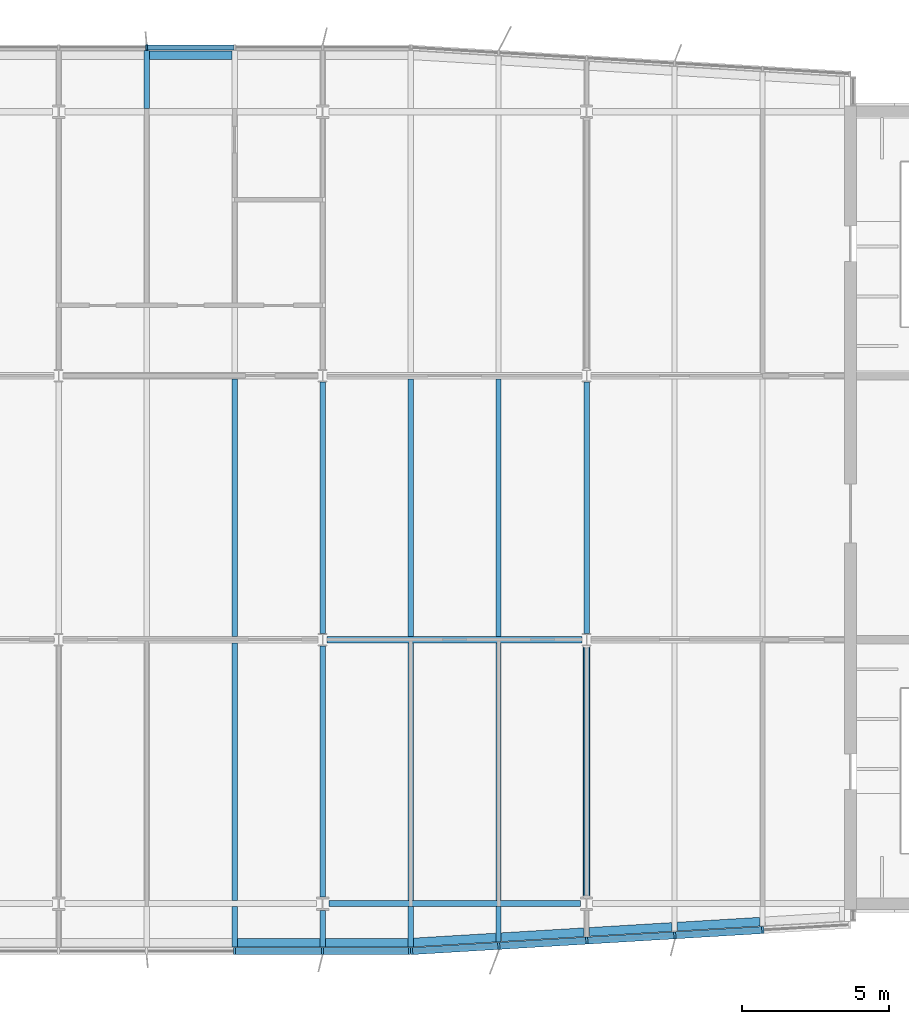
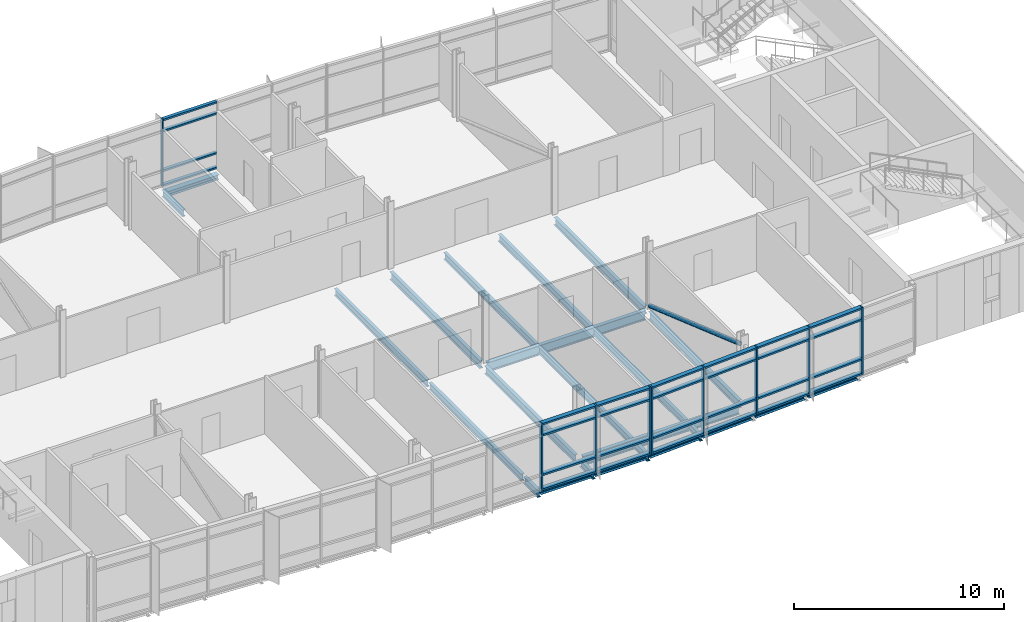
# One storey, part 5 of 21: 38 members, 24 beams, 3 elements without a shape of their own.
"""IFC4 building model written with IfcOpenShell, lengths in metres."""

from ifc_helpers import new_model, si_unit, direction, frame, origin, origin_2d, place, context, subcontext, project, spatial, rectangle, hollow_circle, i_section, extrude, material, material_profile, profile_set, type_object, element, aggregate, save


model = new_model("IFC4")

# Units and contexts
model_context = context("Model", 3, precision=1e-05, world=origin(), true_north=direction((0.0, 1.0)))
body_context = subcontext(model_context, "Body", "Model", "MODEL_VIEW")
ifc_project = project(units=[si_unit("LENGTHUNIT", "METRE"), si_unit("AREAUNIT", "SQUARE_METRE"), si_unit("VOLUMEUNIT", "CUBIC_METRE"), si_unit("PLANEANGLEUNIT", "RADIAN"), si_unit("MASSUNIT", "GRAM", prefix="KILO")], contexts=[model_context])

# Site, building, storey
site_placement = place(None, origin())
site = spatial("IfcSite", under=ifc_project, at=site_placement, CompositionType="ELEMENT")
building_placement = place(site_placement, origin())
building = spatial("IfcBuilding", under=site, at=building_placement, Name="Azimuth Sports and Learning Centre", CompositionType="ELEMENT")
storey_placement = place(building_placement, frame((0.0, 0.0, 48.0)))
storey = spatial("IfcBuildingStorey", under=building, at=storey_placement, Name="L10", CompositionType="ELEMENT", Elevation=48.0)

# Beams
ifc_material_1 = material(Name="Steel S355", Category="steel")
ifc_material_profile_1 = material_profile(ifc_material_1, i_section(OverallWidth=0.18994140625, OverallDepth=0.449951171875, WebThickness=0.009521484375, FlangeThickness=0.0146484375, FilletRadius=0.02099609375, at=origin_2d()), Name="IPE 450")
ifc_profile_set_1 = profile_set([ifc_material_profile_1], Name="Steel S355")
beam_type_1 = type_object("IfcBeamType", Name="Beam IPE 450", PredefinedType="BEAM", material=ifc_profile_set_1)
beam_1_placement = place(storey_placement, frame((90.0, 90.2275390625, -0.35498046875), z_axis=(0.0, 1.0, 0.0), x_axis=(-1.0, 0.0, 0.0)))
element("IfcBeam", 1, at=beam_1_placement, inside=storey, type_object=beam_type_1, Name="Tower tie", PredefinedType="BEAM", context=body_context, shape_type="SweptSolid", body=[
    extrude(i_section(OverallWidth=0.18994140625, OverallDepth=0.449951171875, WebThickness=0.009521484375, FlangeThickness=0.0146484375, FilletRadius=0.02099609375, at=origin_2d()), origin(), (0.0, 0.0, 1.0), 8.556396484375),
])
beam_2_placement = place(storey_placement, frame((90.0, 99.216064453125, -0.35498046875), z_axis=(0.0, 1.0, 0.0), x_axis=(-1.0, 0.0, 0.0)))
element("IfcBeam", 2, at=beam_2_placement, inside=storey, type_object=beam_type_1, Name="Tower tie", PredefinedType="BEAM", context=body_context, shape_type="SweptSolid", body=[
    extrude(i_section(OverallWidth=0.18994140625, OverallDepth=0.449951171875, WebThickness=0.009521484375, FlangeThickness=0.0146484375, FilletRadius=0.02099609375, at=origin_2d()), origin(), (0.0, 0.0, 1.0), 8.56787109375),
])
beam_3_placement = place(storey_placement, frame((99.0, 90.2275390625, -0.35498046875), z_axis=(0.0, 1.0, 0.0), x_axis=(-1.0, 0.0, 0.0)))
element("IfcBeam", 3, at=beam_3_placement, inside=storey, type_object=beam_type_1, Name="Tower tie", PredefinedType="BEAM", context=body_context, shape_type="SweptSolid", body=[
    extrude(i_section(OverallWidth=0.18994140625, OverallDepth=0.449951171875, WebThickness=0.009521484375, FlangeThickness=0.0146484375, FilletRadius=0.02099609375, at=origin_2d()), origin(), (0.0, 0.0, 1.0), 8.556396484375),
])
beam_4_placement = place(storey_placement, frame((99.0, 99.216064453125, -0.35498046875), z_axis=(0.0, 1.0, 0.0), x_axis=(-1.0, 0.0, 0.0)))
element("IfcBeam", 4, at=beam_4_placement, inside=storey, type_object=beam_type_1, Name="Tower tie", PredefinedType="BEAM", context=body_context, shape_type="SweptSolid", body=[
    extrude(i_section(OverallWidth=0.18994140625, OverallDepth=0.449951171875, WebThickness=0.009521484375, FlangeThickness=0.0146484375, FilletRadius=0.02099609375, at=origin_2d()), origin(), (0.0, 0.0, 1.0), 8.56787109375),
])
ifc_material_2 = material(Name="Steel S355", Category="steel")
ifc_material_profile_2 = material_profile(ifc_material_2, i_section(OverallWidth=0.2099609375, OverallDepth=0.550048828125, WebThickness=0.010986328125, FlangeThickness=0.01708984375, FilletRadius=0.02392578125, at=origin_2d()), Name="IPE 550")
ifc_profile_set_2 = profile_set([ifc_material_profile_2], Name="Steel S355")
beam_type_2 = type_object("IfcBeamType", Name="Beam IPE 550", PredefinedType="BEAM", material=ifc_profile_set_2)
beam_5_placement = place(storey_placement, frame((90.208984375, 90.0, -0.405029296875), z_axis=(1.0, 0.0, 0.0), x_axis=(0.0, 1.0, 0.0)))
element("IfcBeam", 5, at=beam_5_placement, inside=storey, type_object=beam_type_2, Name="Tower girder L10", PredefinedType="BEAM", context=body_context, shape_type="SweptSolid", body=[
    extrude(i_section(OverallWidth=0.2099609375, OverallDepth=0.550048828125, WebThickness=0.010986328125, FlangeThickness=0.01708984375, FilletRadius=0.02392578125, at=origin_2d()), origin(), (0.0, 0.0, 1.0), 8.58203125),
])
beam_6_placement = place(storey_placement, frame((90.153564453125, 99.0, -0.405029296875), z_axis=(1.0, 0.0, 0.0), x_axis=(0.0, 1.0, 0.0)))
element("IfcBeam", 6, at=beam_6_placement, inside=storey, type_object=beam_type_2, Name="Tower girder L10", PredefinedType="BEAM", context=body_context, shape_type="SweptSolid", body=[
    extrude(i_section(OverallWidth=0.2099609375, OverallDepth=0.550048828125, WebThickness=0.010986328125, FlangeThickness=0.01708984375, FilletRadius=0.02392578125, at=origin_2d()), origin(), (0.0, 0.0, 1.0), 8.69287109375),
])

# Member
ifc_material_3 = material(Name="Steel S355", Category="steel")
ifc_material_profile_3 = material_profile(ifc_material_3, hollow_circle(Radius=0.122314453125, WallThickness=0.012451171875, at=origin_2d()), Name="CHS 244.5x12.5")
ifc_profile_set_3 = profile_set([ifc_material_profile_3], Name="Steel S355")
member_type_1 = type_object("IfcMemberType", Name="Brace CHS 244.5x12.5", PredefinedType="BRACE", material=ifc_profile_set_3)
member_1_placement = place(storey_placement, frame((99.0, 90.247802734375, 3.150634765625), z_axis=(0.0, 0.94383599609, -0.330414304299), x_axis=(-1.0, 0.0, 0.0)))
element("IfcMember", 7, at=member_1_placement, inside=storey, type_object=member_type_1, Name="Tower brace 12 L10", PredefinedType="BRACE", context=body_context, shape_type="SweptSolid", body=[
    extrude(hollow_circle(Radius=0.122314453125, WallThickness=0.012451171875, at=origin_2d()), origin(), (0.0, 0.0, 1.0), 9.022705078125),
])

# Beams
ifc_material_4 = material(Name="Steel S355", Category="steel")
ifc_material_profile_4 = material_profile(ifc_material_4, i_section(OverallWidth=0.179931640625, OverallDepth=0.39990234375, WebThickness=0.008544921875, FlangeThickness=0.013427734375, FilletRadius=0.02099609375, at=origin_2d()), Name="IPE 400")
ifc_profile_set_4 = profile_set([ifc_material_profile_4], Name="Steel S355")
beam_type_3 = type_object("IfcBeamType", Name="Cantilever stub IPE 400", PredefinedType="JOIST", material=ifc_profile_set_4)
beam_7_placement = place(storey_placement, frame((87.0, 89.89501953125, -0.330078125), z_axis=(0.0, -1.0, 0.0), x_axis=(1.0, 0.0, 0.0)))
element("IfcBeam", 8, at=beam_7_placement, inside=storey, type_object=beam_type_3, Name="Tower cantilever stub", PredefinedType="JOIST", context=body_context, shape_type="SweptSolid", body=[
    extrude(i_section(OverallWidth=0.179931640625, OverallDepth=0.39990234375, WebThickness=0.008544921875, FlangeThickness=0.013427734375, FilletRadius=0.02099609375, at=origin_2d()), origin(), (0.0, 0.0, 1.0), 1.375),
])
beam_8_placement = place(storey_placement, frame((90.0, 89.7724609375, -0.330078125), z_axis=(0.0, -1.0, 0.0), x_axis=(1.0, 0.0, 0.0)))
element("IfcBeam", 9, at=beam_8_placement, inside=storey, type_object=beam_type_3, Name="Tower cantilever stub", PredefinedType="JOIST", context=body_context, shape_type="SweptSolid", body=[
    extrude(i_section(OverallWidth=0.179931640625, OverallDepth=0.39990234375, WebThickness=0.008544921875, FlangeThickness=0.013427734375, FilletRadius=0.02099609375, at=origin_2d()), origin(), (0.0, 0.0, 1.0), 1.25244140625),
])
beam_9_placement = place(storey_placement, frame((93.0, 89.89501953125, -0.330078125), z_axis=(0.0, -1.0, 0.0), x_axis=(1.0, 0.0, 0.0)))
element("IfcBeam", 10, at=beam_9_placement, inside=storey, type_object=beam_type_3, Name="Tower cantilever stub", PredefinedType="JOIST", context=body_context, shape_type="SweptSolid", body=[
    extrude(i_section(OverallWidth=0.179931640625, OverallDepth=0.39990234375, WebThickness=0.008544921875, FlangeThickness=0.013427734375, FilletRadius=0.02099609375, at=origin_2d()), origin(), (0.0, 0.0, 1.0), 1.375),
])
beam_10_placement = place(storey_placement, frame((96.0, 89.89501953125, -0.330078125), z_axis=(0.0, -1.0, 0.0), x_axis=(1.0, 0.0, 0.0)))
element("IfcBeam", 11, at=beam_10_placement, inside=storey, type_object=beam_type_3, Name="Tower cantilever stub", PredefinedType="JOIST", context=body_context, shape_type="SweptSolid", body=[
    extrude(i_section(OverallWidth=0.179931640625, OverallDepth=0.39990234375, WebThickness=0.008544921875, FlangeThickness=0.013427734375, FilletRadius=0.02099609375, at=origin_2d()), origin(), (0.0, 0.0, 1.0), 1.195068359375),
])
beam_11_placement = place(storey_placement, frame((84.0, 117.10498046875, -0.330078125), z_axis=(0.0, 1.0, 0.0), x_axis=(-1.0, 0.0, 0.0)))
element("IfcBeam", 12, at=beam_11_placement, inside=storey, type_object=beam_type_3, Name="Tower cantilever stub", PredefinedType="JOIST", context=body_context, shape_type="SweptSolid", body=[
    extrude(i_section(OverallWidth=0.179931640625, OverallDepth=0.39990234375, WebThickness=0.008544921875, FlangeThickness=0.013427734375, FilletRadius=0.02099609375, at=origin_2d()), origin(), (0.0, 0.0, 1.0), 1.97509765625),
])
ifc_material_5 = material(Name="Steel S355", Category="steel")
ifc_material_profile_5 = material_profile(ifc_material_5, i_section(OverallWidth=0.300048828125, OverallDepth=0.2900390625, WebThickness=0.008544921875, FlangeThickness=0.013916015625, FilletRadius=0.027099609375, at=origin_2d()), Name="HEA 300")
ifc_profile_set_5 = profile_set([ifc_material_profile_5], Name="Steel S355")
beam_type_4 = type_object("IfcBeamType", Name="Edge beam HEA 300", PredefinedType="SPANDREL", material=ifc_profile_set_5)
for number, where, z_axis, x_axis, name in (
    (13, (87.090087890625, 88.669921875, -0.27490234375), (1.0, 0.0, 0.0), (0.0, 1.0, 0.0), "Tower edge beam"),
    (14, (90.090087890625, 88.669921875, -0.27490234375), (1.0, 0.0, 0.0), (0.0, 1.0, 0.0), "Tower edge beam"),
):
    element("IfcBeam", number, at=place(storey_placement, frame(where, z_axis=z_axis, x_axis=x_axis)), inside=storey, type_object=beam_type_4, Name=name, PredefinedType="SPANDREL", context=body_context, shape_type="SweptSolid", body=[
        extrude(i_section(OverallWidth=0.300048828125, OverallDepth=0.2900390625, WebThickness=0.008544921875, FlangeThickness=0.013916015625, FilletRadius=0.027099609375, at=origin_2d()), origin(), (0.0, 0.0, 1.0), 2.81982421875),
    ])
for number, where, z_axis, x_axis, name in (
    (15, (93.090087890625, 88.67529296875, -0.27490234375), (0.998204845466, 0.059892290728, 0.0), (-0.059892290728, 0.998204845466, 0.0), "Tower edge beam"),
    (16, (96.090087890625, 88.85546875, -0.27490234375), (0.998204845466, 0.059892290728, 0.0), (-0.059892290728, 0.998204845466, 0.0), "Tower edge beam"),
    (17, (99.090087890625, 89.035400390625, -0.27490234375), (0.998204845466, 0.059892290728, 0.0), (-0.059892290728, 0.998204845466, 0.0), "Tower edge beam"),
    (18, (102.090087890625, 89.21533203125, -0.27490234375), (0.998204845466, 0.059892290728, 0.0), (-0.059892290728, 0.998204845466, 0.0), "Tower edge beam"),
):
    element("IfcBeam", number, at=place(storey_placement, frame(where, z_axis=z_axis, x_axis=x_axis)), inside=storey, type_object=beam_type_4, Name=name, PredefinedType="SPANDREL", context=body_context, shape_type="SweptSolid", body=[
        extrude(i_section(OverallWidth=0.300048828125, OverallDepth=0.2900390625, WebThickness=0.008544921875, FlangeThickness=0.013916015625, FilletRadius=0.027099609375, at=origin_2d()), origin(), (0.0, 0.0, 1.0), 2.824951171875),
    ])
beam_12_placement = place(storey_placement, frame((84.090087890625, 118.929931640625, -0.27490234375), z_axis=(1.0, 0.0, 0.0), x_axis=(0.0, 1.0, 0.0)))
element("IfcBeam", 19, at=beam_12_placement, inside=storey, type_object=beam_type_4, Name="Tower edge beam", PredefinedType="SPANDREL", context=body_context, shape_type="SweptSolid", body=[
    extrude(i_section(OverallWidth=0.300048828125, OverallDepth=0.2900390625, WebThickness=0.008544921875, FlangeThickness=0.013916015625, FilletRadius=0.027099609375, at=origin_2d()), origin(), (0.0, 0.0, 1.0), 2.81982421875),
])
ifc_material_6 = material(Name="Steel S355", Category="steel")
ifc_material_profile_6 = material_profile(ifc_material_6, i_section(OverallWidth=0.179931640625, OverallDepth=0.39990234375, WebThickness=0.008544921875, FlangeThickness=0.013427734375, FilletRadius=0.02099609375, at=origin_2d()), Name="IPE 400")
ifc_profile_set_6 = profile_set([ifc_material_profile_6], Name="Steel S355")
beam_type_5 = type_object("IfcBeamType", Name="Joist IPE 400", PredefinedType="JOIST", material=ifc_profile_set_6)
for number, where, z_axis, x_axis, name in (
    (20, (87.0, 90.10498046875, -0.330078125), (0.0, 1.0, 0.0), (-1.0, 0.0, 0.0), "Tower joist"),
    (21, (87.0, 99.10498046875, -0.330078125), (0.0, 1.0, 0.0), (-1.0, 0.0, 0.0), "Tower joist"),
    (22, (93.0, 90.10498046875, -0.330078125), (0.0, 1.0, 0.0), (-1.0, 0.0, 0.0), "Tower joist"),
    (23, (93.0, 99.10498046875, -0.330078125), (0.0, 1.0, 0.0), (-1.0, 0.0, 0.0), "Tower joist"),
    (24, (96.0, 90.10498046875, -0.330078125), (0.0, 1.0, 0.0), (-1.0, 0.0, 0.0), "Tower joist"),
    (25, (96.0, 99.10498046875, -0.330078125), (0.0, 1.0, 0.0), (-1.0, 0.0, 0.0), "Tower joist"),
):
    element("IfcBeam", number, at=place(storey_placement, frame(where, z_axis=z_axis, x_axis=x_axis)), inside=storey, type_object=beam_type_5, Name=name, PredefinedType="JOIST", context=body_context, shape_type="SweptSolid", body=[
        extrude(i_section(OverallWidth=0.179931640625, OverallDepth=0.39990234375, WebThickness=0.008544921875, FlangeThickness=0.013427734375, FilletRadius=0.02099609375, at=origin_2d()), origin(), (0.0, 0.0, 1.0), 8.7900390625),
    ])

# Curtain wall, member
ifc_material_7 = material(Name="Aluminium and glass", Category="aluminium")
curtain_wall_type_1 = type_object("IfcCurtainWallType", Name="Curtain wall tower north 180", PredefinedType="NOTDEFINED", material=ifc_material_7)
curtain_wall_1_placement = place(storey_placement, origin())
curtain_wall_1 = element("IfcCurtainWall", 26, at=curtain_wall_1_placement, inside=storey, type_object=curtain_wall_type_1, Name="Curtain wall CW10-008", PredefinedType="NOTDEFINED")
ifc_material_8 = material(Name="Aluminium", Category="aluminium")
ifc_material_profile_7 = material_profile(ifc_material_8, rectangle(XDim=0.179931640625, YDim=0.06005859375, at=origin_2d()), Name="Mullion 60x180")
ifc_profile_set_7 = profile_set([ifc_material_profile_7], Name="Aluminium")
member_type_2 = type_object("IfcMemberType", Name="Mullion 60x180", PredefinedType="MULLION", material=ifc_profile_set_7)
member_2_placement = place(storey_placement, frame((84.0, 119.18994140625, 0.0), z_axis=(0.0, 0.0, 1.0), x_axis=(0.0, -1.0, 0.0)))
member_2 = element("IfcMember", 27, at=member_2_placement, type_object=member_type_2, Name="CW10-008 mullion 4", PredefinedType="MULLION", context=body_context, shape_type="SweptSolid", body=[
    extrude(rectangle(XDim=0.179931640625, YDim=0.06005859375, at=origin_2d()), origin(), (0.0, 0.0, 1.0), 3.89990234375),
])

# Curtain wall, members
ifc_material_9 = material(Name="Aluminium and glass", Category="aluminium")
curtain_wall_type_2 = type_object("IfcCurtainWallType", Name="Curtain wall tower south 240", PredefinedType="NOTDEFINED", material=ifc_material_9)
curtain_wall_2_placement = place(storey_placement, origin())
curtain_wall_2 = element("IfcCurtainWall", 28, at=curtain_wall_2_placement, inside=storey, type_object=curtain_wall_type_2, Name="Curtain wall CW10-003", PredefinedType="NOTDEFINED")
ifc_material_10 = material(Name="Aluminium", Category="aluminium")
ifc_material_profile_8 = material_profile(ifc_material_10, rectangle(XDim=0.239990234375, YDim=0.070068359375, at=origin_2d()), Name="Mullion 70x240")
ifc_profile_set_8 = profile_set([ifc_material_profile_8], Name="Aluminium")
member_type_3 = type_object("IfcMemberType", Name="Mullion 70x240", PredefinedType="MULLION", material=ifc_profile_set_8)
member_3_placement = place(storey_placement, frame((87.0, 88.3798828125, 0.0), z_axis=(0.0, 0.0, 1.0), x_axis=(0.0, 1.0, 0.0)))
member_3 = element("IfcMember", 29, at=member_3_placement, type_object=member_type_3, Name="CW10-003 mullion 4", PredefinedType="MULLION", context=body_context, shape_type="SweptSolid", body=[
    extrude(rectangle(XDim=0.239990234375, YDim=0.070068359375, at=origin_2d()), origin(), (0.0, 0.0, 1.0), 3.89990234375),
])
member_4_placement = place(storey_placement, frame((90.0, 88.3798828125, 0.0), z_axis=(0.0, 0.0, 1.0), x_axis=(0.0, 1.0, 0.0)))
member_4 = element("IfcMember", 30, at=member_4_placement, type_object=member_type_3, Name="CW10-003 mullion 5", PredefinedType="MULLION", context=body_context, shape_type="SweptSolid", body=[
    extrude(rectangle(XDim=0.239990234375, YDim=0.070068359375, at=origin_2d()), origin(), (0.0, 0.0, 1.0), 3.89990234375),
])
member_5_placement = place(storey_placement, frame((92.965087890625, 88.3798828125, 0.0), z_axis=(0.0, 0.0, 1.0), x_axis=(0.0, 1.0, 0.0)))
member_5 = element("IfcMember", 31, at=member_5_placement, type_object=member_type_3, Name="CW10-003 mullion 6", PredefinedType="MULLION", context=body_context, shape_type="SweptSolid", body=[
    extrude(rectangle(XDim=0.239990234375, YDim=0.070068359375, at=origin_2d()), origin(), (0.0, 0.0, 1.0), 3.89990234375),
])

curtain_wall_3_placement = place(storey_placement, origin())
curtain_wall_3 = element("IfcCurtainWall", 32, at=curtain_wall_3_placement, inside=storey, type_object=curtain_wall_type_2, Name="Curtain wall CW10-004", PredefinedType="NOTDEFINED")
member_6_placement = place(storey_placement, frame((93.034912109375, 88.3818359375, 0.0), z_axis=(0.0, 0.0, 1.0), x_axis=(-0.059891991812, 0.998204863401, 0.0)))
member_6 = element("IfcMember", 33, at=member_6_placement, type_object=member_type_3, Name="CW10-004 mullion 1", PredefinedType="MULLION", context=body_context, shape_type="SweptSolid", body=[
    extrude(rectangle(XDim=0.239990234375, YDim=0.070068359375, at=origin_2d()), origin(), (0.0, 0.0, 1.0), 3.89990234375),
])
member_7_placement = place(storey_placement, frame((96.007080078125, 88.560302734375, 0.0), z_axis=(0.0, 0.0, 1.0), x_axis=(-0.059891991812, 0.998204863401, 0.0)))
member_7 = element("IfcMember", 34, at=member_7_placement, type_object=member_type_3, Name="CW10-004 mullion 2", PredefinedType="MULLION", context=body_context, shape_type="SweptSolid", body=[
    extrude(rectangle(XDim=0.239990234375, YDim=0.070068359375, at=origin_2d()), origin(), (0.0, 0.0, 1.0), 3.89990234375),
])
member_8_placement = place(storey_placement, frame((99.007080078125, 88.740234375, 0.0), z_axis=(0.0, 0.0, 1.0), x_axis=(-0.059891991812, 0.998204863401, 0.0)))
member_8 = element("IfcMember", 35, at=member_8_placement, type_object=member_type_3, Name="CW10-004 mullion 3", PredefinedType="MULLION", context=body_context, shape_type="SweptSolid", body=[
    extrude(rectangle(XDim=0.239990234375, YDim=0.070068359375, at=origin_2d()), origin(), (0.0, 0.0, 1.0), 3.89990234375),
])
member_9_placement = place(storey_placement, frame((102.007080078125, 88.920166015625, 0.0), z_axis=(0.0, 0.0, 1.0), x_axis=(-0.059891991812, 0.998204863401, 0.0)))
member_9 = element("IfcMember", 36, at=member_9_placement, type_object=member_type_3, Name="CW10-004 mullion 4", PredefinedType="MULLION", context=body_context, shape_type="SweptSolid", body=[
    extrude(rectangle(XDim=0.239990234375, YDim=0.070068359375, at=origin_2d()), origin(), (0.0, 0.0, 1.0), 3.89990234375),
])
member_10_placement = place(storey_placement, frame((105.007080078125, 89.10009765625, 0.0), z_axis=(0.0, 0.0, 1.0), x_axis=(-0.059891991812, 0.998204863401, 0.0)))
member_10 = element("IfcMember", 37, at=member_10_placement, type_object=member_type_3, Name="CW10-004 mullion 5", PredefinedType="MULLION", context=body_context, shape_type="SweptSolid", body=[
    extrude(rectangle(XDim=0.239990234375, YDim=0.070068359375, at=origin_2d()), origin(), (0.0, 0.0, 1.0), 3.89990234375),
])

# Member
ifc_material_11 = material(Name="Aluminium", Category="aluminium")
ifc_material_profile_9 = material_profile(ifc_material_11, rectangle(XDim=0.179931640625, YDim=0.10009765625, at=origin_2d()), Name="Transom 100x180")
ifc_profile_set_9 = profile_set([ifc_material_profile_9], Name="Aluminium")
member_type_4 = type_object("IfcMemberType", Name="Transom 100x180", PredefinedType="USERDEFINED", material=ifc_profile_set_9)
member_11_placement = place(storey_placement, frame((86.969970703125, 119.18994140625, 0.050048828125), z_axis=(-1.0, 0.0, 0.0), x_axis=(0.0, -1.0, 0.0)))
member_11 = element("IfcMember", 38, at=member_11_placement, type_object=member_type_4, Name="CW10-008 transom 3.1", ObjectType="TRANSOM", PredefinedType="USERDEFINED", context=body_context, shape_type="SweptSolid", body=[
    extrude(rectangle(XDim=0.179931640625, YDim=0.10009765625, at=origin_2d()), origin(), (0.0, 0.0, 1.0), 2.93994140625),
])

member_12_placement = place(storey_placement, frame((86.969970703125, 119.18994140625, 0.89990234375), z_axis=(-1.0, 0.0, 0.0), x_axis=(0.0, -1.0, 0.0)))
member_12 = element("IfcMember", 39, at=member_12_placement, type_object=member_type_4, Name="CW10-008 transom 3.2", ObjectType="TRANSOM", PredefinedType="USERDEFINED", context=body_context, shape_type="SweptSolid", body=[
    extrude(rectangle(XDim=0.179931640625, YDim=0.10009765625, at=origin_2d()), origin(), (0.0, 0.0, 1.0), 2.93994140625),
])

member_13_placement = place(storey_placement, frame((86.969970703125, 119.18994140625, 3.199951171875), z_axis=(-1.0, 0.0, 0.0), x_axis=(0.0, -1.0, 0.0)))
member_13 = element("IfcMember", 40, at=member_13_placement, type_object=member_type_4, Name="CW10-008 transom 3.3", ObjectType="TRANSOM", PredefinedType="USERDEFINED", context=body_context, shape_type="SweptSolid", body=[
    extrude(rectangle(XDim=0.179931640625, YDim=0.10009765625, at=origin_2d()), origin(), (0.0, 0.0, 1.0), 2.93994140625),
])

member_14_placement = place(storey_placement, frame((86.969970703125, 119.18994140625, 3.85009765625), z_axis=(-1.0, 0.0, 0.0), x_axis=(0.0, -1.0, 0.0)))
member_14 = element("IfcMember", 41, at=member_14_placement, type_object=member_type_4, Name="CW10-008 transom 3.4", ObjectType="TRANSOM", PredefinedType="USERDEFINED", context=body_context, shape_type="SweptSolid", body=[
    extrude(rectangle(XDim=0.179931640625, YDim=0.10009765625, at=origin_2d()), origin(), (0.0, 0.0, 1.0), 2.93994140625),
])

aggregate(curtain_wall_1, [member_2, member_11, member_12, member_13, member_14])

ifc_material_12 = material(Name="Aluminium", Category="aluminium")
ifc_material_profile_10 = material_profile(ifc_material_12, rectangle(XDim=0.239990234375, YDim=0.10009765625, at=origin_2d()), Name="Transom 100x240")
ifc_profile_set_10 = profile_set([ifc_material_profile_10], Name="Aluminium")
member_type_5 = type_object("IfcMemberType", Name="Transom 100x240", PredefinedType="USERDEFINED", material=ifc_profile_set_10)
member_15_placement = place(storey_placement, frame((87.034912109375, 88.3798828125, 0.050048828125), z_axis=(1.0, 0.0, 0.0), x_axis=(0.0, 1.0, 0.0)))
member_15 = element("IfcMember", 42, at=member_15_placement, type_object=member_type_5, Name="CW10-003 transom 4.1", ObjectType="TRANSOM", PredefinedType="USERDEFINED", context=body_context, shape_type="SweptSolid", body=[
    extrude(rectangle(XDim=0.239990234375, YDim=0.10009765625, at=origin_2d()), origin(), (0.0, 0.0, 1.0), 2.93017578125),
])

member_16_placement = place(storey_placement, frame((87.034912109375, 88.3798828125, 0.89990234375), z_axis=(1.0, 0.0, 0.0), x_axis=(0.0, 1.0, 0.0)))
member_16 = element("IfcMember", 43, at=member_16_placement, type_object=member_type_5, Name="CW10-003 transom 4.2", ObjectType="TRANSOM", PredefinedType="USERDEFINED", context=body_context, shape_type="SweptSolid", body=[
    extrude(rectangle(XDim=0.239990234375, YDim=0.10009765625, at=origin_2d()), origin(), (0.0, 0.0, 1.0), 2.93017578125),
])

member_17_placement = place(storey_placement, frame((87.034912109375, 88.3798828125, 3.199951171875), z_axis=(1.0, 0.0, 0.0), x_axis=(0.0, 1.0, 0.0)))
member_17 = element("IfcMember", 44, at=member_17_placement, type_object=member_type_5, Name="CW10-003 transom 4.3", ObjectType="TRANSOM", PredefinedType="USERDEFINED", context=body_context, shape_type="SweptSolid", body=[
    extrude(rectangle(XDim=0.239990234375, YDim=0.10009765625, at=origin_2d()), origin(), (0.0, 0.0, 1.0), 2.93017578125),
])

member_18_placement = place(storey_placement, frame((87.034912109375, 88.3798828125, 3.85009765625), z_axis=(1.0, 0.0, 0.0), x_axis=(0.0, 1.0, 0.0)))
member_18 = element("IfcMember", 45, at=member_18_placement, type_object=member_type_5, Name="CW10-003 transom 4.4", ObjectType="TRANSOM", PredefinedType="USERDEFINED", context=body_context, shape_type="SweptSolid", body=[
    extrude(rectangle(XDim=0.239990234375, YDim=0.10009765625, at=origin_2d()), origin(), (0.0, 0.0, 1.0), 2.93017578125),
])

member_19_placement = place(storey_placement, frame((90.034912109375, 88.3798828125, 0.050048828125), z_axis=(1.0, 0.0, 0.0), x_axis=(0.0, 1.0, 0.0)))
member_19 = element("IfcMember", 46, at=member_19_placement, type_object=member_type_5, Name="CW10-003 transom 5.1", ObjectType="TRANSOM", PredefinedType="USERDEFINED", context=body_context, shape_type="SweptSolid", body=[
    extrude(rectangle(XDim=0.239990234375, YDim=0.10009765625, at=origin_2d()), origin(), (0.0, 0.0, 1.0), 2.89501953125),
])

member_20_placement = place(storey_placement, frame((90.034912109375, 88.3798828125, 0.89990234375), z_axis=(1.0, 0.0, 0.0), x_axis=(0.0, 1.0, 0.0)))
member_20 = element("IfcMember", 47, at=member_20_placement, type_object=member_type_5, Name="CW10-003 transom 5.2", ObjectType="TRANSOM", PredefinedType="USERDEFINED", context=body_context, shape_type="SweptSolid", body=[
    extrude(rectangle(XDim=0.239990234375, YDim=0.10009765625, at=origin_2d()), origin(), (0.0, 0.0, 1.0), 2.89501953125),
])

member_21_placement = place(storey_placement, frame((90.034912109375, 88.3798828125, 3.199951171875), z_axis=(1.0, 0.0, 0.0), x_axis=(0.0, 1.0, 0.0)))
member_21 = element("IfcMember", 48, at=member_21_placement, type_object=member_type_5, Name="CW10-003 transom 5.3", ObjectType="TRANSOM", PredefinedType="USERDEFINED", context=body_context, shape_type="SweptSolid", body=[
    extrude(rectangle(XDim=0.239990234375, YDim=0.10009765625, at=origin_2d()), origin(), (0.0, 0.0, 1.0), 2.89501953125),
])

member_22_placement = place(storey_placement, frame((90.034912109375, 88.3798828125, 3.85009765625), z_axis=(1.0, 0.0, 0.0), x_axis=(0.0, 1.0, 0.0)))
member_22 = element("IfcMember", 49, at=member_22_placement, type_object=member_type_5, Name="CW10-003 transom 5.4", ObjectType="TRANSOM", PredefinedType="USERDEFINED", context=body_context, shape_type="SweptSolid", body=[
    extrude(rectangle(XDim=0.239990234375, YDim=0.10009765625, at=origin_2d()), origin(), (0.0, 0.0, 1.0), 2.89501953125),
])

aggregate(curtain_wall_2, [member_3, member_4, member_5, member_15, member_16, member_17, member_18, member_19, member_20, member_21, member_22])

member_23_placement = place(storey_placement, frame((93.06982421875, 88.384033203125, 0.050048828125), z_axis=(0.998206250786, 0.059868864133, 0.0), x_axis=(-0.059868864133, 0.998206250786, 0.0)))
member_23 = element("IfcMember", 50, at=member_23_placement, type_object=member_type_5, Name="CW10-004 transom 1.1", ObjectType="TRANSOM", PredefinedType="USERDEFINED", context=body_context, shape_type="SweptSolid", body=[
    extrude(rectangle(XDim=0.239990234375, YDim=0.10009765625, at=origin_2d()), origin(), (0.0, 0.0, 1.0), 2.907470703125),
])

member_24_placement = place(storey_placement, frame((93.06982421875, 88.384033203125, 0.89990234375), z_axis=(0.998206250786, 0.059868864133, 0.0), x_axis=(-0.059868864133, 0.998206250786, 0.0)))
member_24 = element("IfcMember", 51, at=member_24_placement, type_object=member_type_5, Name="CW10-004 transom 1.2", ObjectType="TRANSOM", PredefinedType="USERDEFINED", context=body_context, shape_type="SweptSolid", body=[
    extrude(rectangle(XDim=0.239990234375, YDim=0.10009765625, at=origin_2d()), origin(), (0.0, 0.0, 1.0), 2.907470703125),
])

member_25_placement = place(storey_placement, frame((93.06982421875, 88.384033203125, 3.199951171875), z_axis=(0.998206250786, 0.059868864133, 0.0), x_axis=(-0.059868864133, 0.998206250786, 0.0)))
member_25 = element("IfcMember", 52, at=member_25_placement, type_object=member_type_5, Name="CW10-004 transom 1.3", ObjectType="TRANSOM", PredefinedType="USERDEFINED", context=body_context, shape_type="SweptSolid", body=[
    extrude(rectangle(XDim=0.239990234375, YDim=0.10009765625, at=origin_2d()), origin(), (0.0, 0.0, 1.0), 2.907470703125),
])

member_26_placement = place(storey_placement, frame((93.06982421875, 88.384033203125, 3.85009765625), z_axis=(0.998206250786, 0.059868864133, 0.0), x_axis=(-0.059868864133, 0.998206250786, 0.0)))
member_26 = element("IfcMember", 53, at=member_26_placement, type_object=member_type_5, Name="CW10-004 transom 1.4", ObjectType="TRANSOM", PredefinedType="USERDEFINED", context=body_context, shape_type="SweptSolid", body=[
    extrude(rectangle(XDim=0.239990234375, YDim=0.10009765625, at=origin_2d()), origin(), (0.0, 0.0, 1.0), 2.907470703125),
])

member_27_placement = place(storey_placement, frame((96.042236328125, 88.562255859375, 0.050048828125), z_axis=(0.998205143816, 0.059887318019, 0.0), x_axis=(-0.059887318019, 0.998205143816, 0.0)))
member_27 = element("IfcMember", 54, at=member_27_placement, type_object=member_type_5, Name="CW10-004 transom 2.1", ObjectType="TRANSOM", PredefinedType="USERDEFINED", context=body_context, shape_type="SweptSolid", body=[
    extrude(rectangle(XDim=0.239990234375, YDim=0.10009765625, at=origin_2d()), origin(), (0.0, 0.0, 1.0), 2.935302734375),
])

member_28_placement = place(storey_placement, frame((96.042236328125, 88.562255859375, 0.89990234375), z_axis=(0.998205143816, 0.059887318019, 0.0), x_axis=(-0.059887318019, 0.998205143816, 0.0)))
member_28 = element("IfcMember", 55, at=member_28_placement, type_object=member_type_5, Name="CW10-004 transom 2.2", ObjectType="TRANSOM", PredefinedType="USERDEFINED", context=body_context, shape_type="SweptSolid", body=[
    extrude(rectangle(XDim=0.239990234375, YDim=0.10009765625, at=origin_2d()), origin(), (0.0, 0.0, 1.0), 2.935302734375),
])

member_29_placement = place(storey_placement, frame((96.042236328125, 88.562255859375, 3.199951171875), z_axis=(0.998205143816, 0.059887318019, 0.0), x_axis=(-0.059887318019, 0.998205143816, 0.0)))
member_29 = element("IfcMember", 56, at=member_29_placement, type_object=member_type_5, Name="CW10-004 transom 2.3", ObjectType="TRANSOM", PredefinedType="USERDEFINED", context=body_context, shape_type="SweptSolid", body=[
    extrude(rectangle(XDim=0.239990234375, YDim=0.10009765625, at=origin_2d()), origin(), (0.0, 0.0, 1.0), 2.935302734375),
])

member_30_placement = place(storey_placement, frame((96.042236328125, 88.562255859375, 3.85009765625), z_axis=(0.998205143816, 0.059887318019, 0.0), x_axis=(-0.059887318019, 0.998205143816, 0.0)))
member_30 = element("IfcMember", 57, at=member_30_placement, type_object=member_type_5, Name="CW10-004 transom 2.4", ObjectType="TRANSOM", PredefinedType="USERDEFINED", context=body_context, shape_type="SweptSolid", body=[
    extrude(rectangle(XDim=0.239990234375, YDim=0.10009765625, at=origin_2d()), origin(), (0.0, 0.0, 1.0), 2.935302734375),
])

member_31_placement = place(storey_placement, frame((99.042236328125, 88.742431640625, 0.050048828125), z_axis=(0.998205143816, 0.059887318019, 0.0), x_axis=(-0.059887318019, 0.998205143816, 0.0)))
member_31 = element("IfcMember", 58, at=member_31_placement, type_object=member_type_5, Name="CW10-004 transom 3.1", ObjectType="TRANSOM", PredefinedType="USERDEFINED", context=body_context, shape_type="SweptSolid", body=[
    extrude(rectangle(XDim=0.239990234375, YDim=0.10009765625, at=origin_2d()), origin(), (0.0, 0.0, 1.0), 2.935302734375),
])

member_32_placement = place(storey_placement, frame((99.042236328125, 88.742431640625, 0.89990234375), z_axis=(0.998205143816, 0.059887318019, 0.0), x_axis=(-0.059887318019, 0.998205143816, 0.0)))
member_32 = element("IfcMember", 59, at=member_32_placement, type_object=member_type_5, Name="CW10-004 transom 3.2", ObjectType="TRANSOM", PredefinedType="USERDEFINED", context=body_context, shape_type="SweptSolid", body=[
    extrude(rectangle(XDim=0.239990234375, YDim=0.10009765625, at=origin_2d()), origin(), (0.0, 0.0, 1.0), 2.935302734375),
])

member_33_placement = place(storey_placement, frame((99.042236328125, 88.742431640625, 3.199951171875), z_axis=(0.998205143816, 0.059887318019, 0.0), x_axis=(-0.059887318019, 0.998205143816, 0.0)))
member_33 = element("IfcMember", 60, at=member_33_placement, type_object=member_type_5, Name="CW10-004 transom 3.3", ObjectType="TRANSOM", PredefinedType="USERDEFINED", context=body_context, shape_type="SweptSolid", body=[
    extrude(rectangle(XDim=0.239990234375, YDim=0.10009765625, at=origin_2d()), origin(), (0.0, 0.0, 1.0), 2.935302734375),
])

member_34_placement = place(storey_placement, frame((99.042236328125, 88.742431640625, 3.85009765625), z_axis=(0.998205143816, 0.059887318019, 0.0), x_axis=(-0.059887318019, 0.998205143816, 0.0)))
member_34 = element("IfcMember", 61, at=member_34_placement, type_object=member_type_5, Name="CW10-004 transom 3.4", ObjectType="TRANSOM", PredefinedType="USERDEFINED", context=body_context, shape_type="SweptSolid", body=[
    extrude(rectangle(XDim=0.239990234375, YDim=0.10009765625, at=origin_2d()), origin(), (0.0, 0.0, 1.0), 2.935302734375),
])

member_35_placement = place(storey_placement, frame((102.042236328125, 88.92236328125, 0.050048828125), z_axis=(0.998205143816, 0.059887318019, 0.0), x_axis=(-0.059887318019, 0.998205143816, 0.0)))
member_35 = element("IfcMember", 62, at=member_35_placement, type_object=member_type_5, Name="CW10-004 transom 4.1", ObjectType="TRANSOM", PredefinedType="USERDEFINED", context=body_context, shape_type="SweptSolid", body=[
    extrude(rectangle(XDim=0.239990234375, YDim=0.10009765625, at=origin_2d()), origin(), (0.0, 0.0, 1.0), 2.935302734375),
])

member_36_placement = place(storey_placement, frame((102.042236328125, 88.92236328125, 0.89990234375), z_axis=(0.998205143816, 0.059887318019, 0.0), x_axis=(-0.059887318019, 0.998205143816, 0.0)))
member_36 = element("IfcMember", 63, at=member_36_placement, type_object=member_type_5, Name="CW10-004 transom 4.2", ObjectType="TRANSOM", PredefinedType="USERDEFINED", context=body_context, shape_type="SweptSolid", body=[
    extrude(rectangle(XDim=0.239990234375, YDim=0.10009765625, at=origin_2d()), origin(), (0.0, 0.0, 1.0), 2.935302734375),
])

member_37_placement = place(storey_placement, frame((102.042236328125, 88.92236328125, 3.199951171875), z_axis=(0.998205143816, 0.059887318019, 0.0), x_axis=(-0.059887318019, 0.998205143816, 0.0)))
member_37 = element("IfcMember", 64, at=member_37_placement, type_object=member_type_5, Name="CW10-004 transom 4.3", ObjectType="TRANSOM", PredefinedType="USERDEFINED", context=body_context, shape_type="SweptSolid", body=[
    extrude(rectangle(XDim=0.239990234375, YDim=0.10009765625, at=origin_2d()), origin(), (0.0, 0.0, 1.0), 2.935302734375),
])

member_38_placement = place(storey_placement, frame((102.042236328125, 88.92236328125, 3.85009765625), z_axis=(0.998205143816, 0.059887318019, 0.0), x_axis=(-0.059887318019, 0.998205143816, 0.0)))
member_38 = element("IfcMember", 65, at=member_38_placement, type_object=member_type_5, Name="CW10-004 transom 4.4", ObjectType="TRANSOM", PredefinedType="USERDEFINED", context=body_context, shape_type="SweptSolid", body=[
    extrude(rectangle(XDim=0.239990234375, YDim=0.10009765625, at=origin_2d()), origin(), (0.0, 0.0, 1.0), 2.935302734375),
])

aggregate(curtain_wall_3, [member_6, member_7, member_8, member_9, member_10, member_23, member_24, member_25, member_26, member_27, member_28, member_29, member_30, member_31, member_32, member_33, member_34, member_35, member_36, member_37, member_38])

save(model, "model.ifc")
